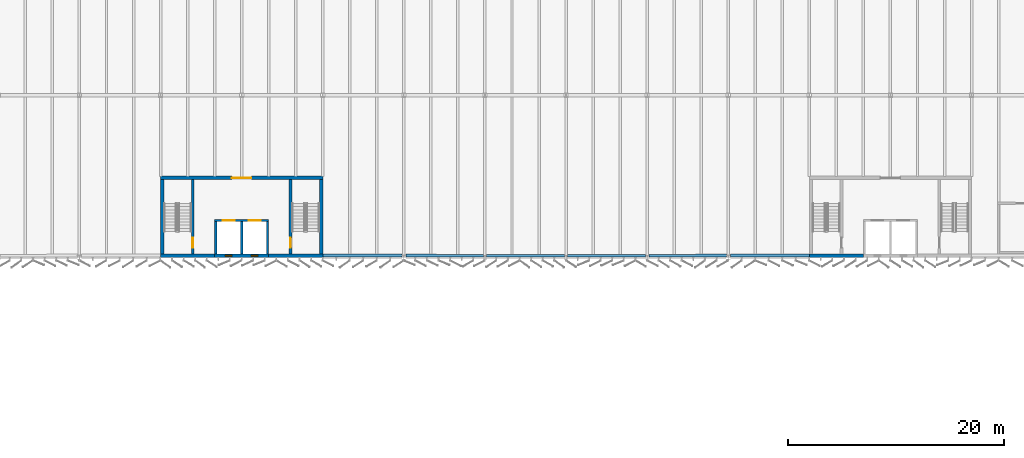
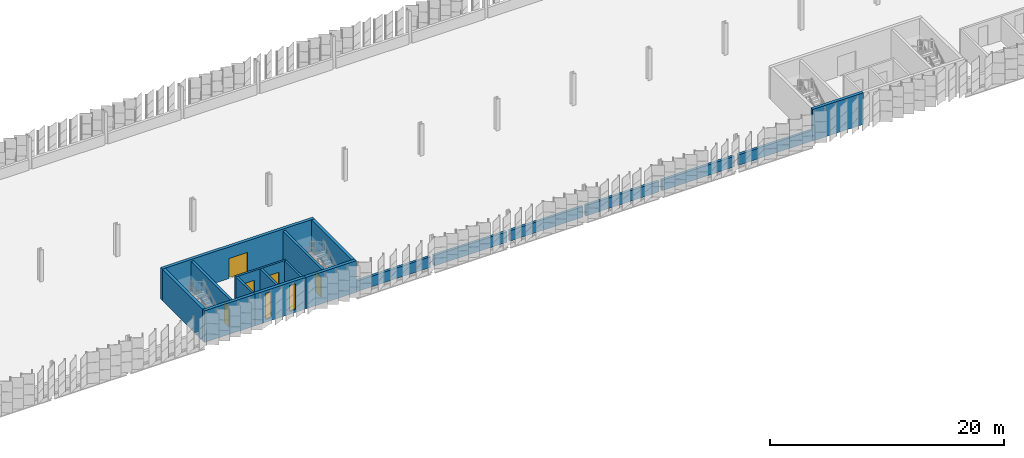
# One storey, part 57 of 199: 19 walls, 5 doors, 2 windows, 7 openings.
"""IFC4 building model written with IfcOpenShell, lengths in metres."""

from ifc_helpers import new_model, si_unit, direction, frame, frame_2d, origin, place, context, subcontext, project, spatial, rectangle, extrude, material, layer, layer_set, type_object, element, fill, save


model = new_model("IFC4")

# Units and contexts
model_context = context("Model", 3, precision=1e-05, world=origin(), true_north=direction((0.0, 1.0)))
body_context = subcontext(model_context, "Body", "Model", "MODEL_VIEW")
ifc_project = project(units=[si_unit("LENGTHUNIT", "METRE"), si_unit("AREAUNIT", "SQUARE_METRE"), si_unit("VOLUMEUNIT", "CUBIC_METRE"), si_unit("PLANEANGLEUNIT", "RADIAN"), si_unit("MASSUNIT", "GRAM", prefix="KILO")], contexts=[model_context])

# Site, building, storey
site_placement = place(None, origin())
site = spatial("IfcSite", under=ifc_project, at=site_placement, CompositionType="ELEMENT")
building_placement = place(site_placement, origin())
building = spatial("IfcBuilding", under=site, at=building_placement, Name="Parallax Yard Mobility Hub", CompositionType="ELEMENT")
storey_placement = place(building_placement, frame((0.0, 0.0, 9.89990234375)))
storey = spatial("IfcBuildingStorey", under=building, at=storey_placement, Name="L03", CompositionType="ELEMENT", Elevation=9.89990234375)

# Wall, opening, door
ifc_material_1 = material(Name="Concrete fc' 35 MPa", Category="concrete")
ifc_layer_1 = layer(ifc_material_1, 0.300048828125)
ifc_layer_set_1 = layer_set([ifc_layer_1], Name="Concrete fc' 35 MPa core wall 300")
wall_type_1 = type_object("IfcWallType", Name="Concrete fc' 35 MPa core wall 300", PredefinedType="SHEAR", material=ifc_layer_set_1)
wall_1_placement = place(storey_placement, frame((67.5, 119.85009765625, 0.0), z_axis=(0.0, 0.0, 1.0), x_axis=(1.0, 0.0, 0.0)))
wall_1 = element("IfcWall", 1, at=wall_1_placement, inside=storey, type_object=wall_type_1, Name="Core C-N1 entry wall level L03", PredefinedType="SHEAR", context=body_context, shape_type="SweptSolid", body=[
    extrude(rectangle(XDim=15.0, YDim=0.300048828125, at=frame_2d((7.5, 0.0))), origin(), (0.0, 0.0, 1.0), 3.300048828125),
])
opening_1_placement = place(wall_1_placement, frame((6.60009765625, 0.0, 0.0)))
opening_1 = element("IfcOpeningElement", 2, at=opening_1_placement, cuts=wall_1, Name="Opening L03-D709", PredefinedType="OPENING", context=body_context, shape_type="SweptSolid", body=[
    extrude(rectangle(XDim=1.800048828125, YDim=2.10009765625, at=frame_2d((0.89990234375, 1.050048828125))), frame((0.0, 0.16015625, 0.0), z_axis=(0.0, -1.0, 0.0), x_axis=(1.0, 0.0, 0.0)), (0.0, 0.0, 1.0), 0.320068359375),
])
ifc_material_2 = material(Name="Hollow metal steel door and frame", Category="steel")
door_type_1 = type_object("IfcDoorType", Name="Core double door 1800 x 2100 FD90", OperationType="NOTDEFINED", PredefinedType="DOOR", material=ifc_material_2)
door_1_placement = place(opening_1_placement, origin())
door_1 = element("IfcDoor", 3, at=door_1_placement, inside=storey, type_object=door_type_1, Name="Lift lobby door L03-D709, core C-N1 level L03", OperationType="DOUBLE_DOOR_SINGLE_SWING", OverallHeight=2.10009765625, OverallWidth=1.800048828125, PredefinedType="DOOR", context=body_context, shape_type="SweptSolid", body=[
    extrude(rectangle(XDim=1.800048828125, YDim=2.10009765625, at=frame_2d((0.89990234375, 1.050048828125))), frame((0.0, 0.02490234375, 0.0), z_axis=(0.0, -1.0, 0.0), x_axis=(1.0, 0.0, 0.0)), (0.0, 0.0, 1.0), 0.050048828125),
])
fill(opening_1, door_1)

# Wall
wall_2_placement = place(storey_placement, frame((82.5, 112.64990234375, 0.0), z_axis=(0.0, 0.0, 1.0), x_axis=(-1.0, 0.0, 0.0)))
element("IfcWall", 4, at=wall_2_placement, inside=storey, type_object=wall_type_1, Name="Core C-N1 back wall part 1 level L03", PredefinedType="SHEAR", context=body_context, shape_type="SweptSolid", body=[
    extrude(rectangle(XDim=5.0, YDim=0.300048828125, at=frame_2d((2.5, 0.0))), origin(), (0.0, 0.0, 1.0), 3.300048828125),
])

# Wall, openings, windows
wall_3_placement = place(storey_placement, frame((77.5, 112.64990234375, 0.0), z_axis=(0.0, 0.0, 1.0), x_axis=(-1.0, 0.0, 0.0)))
wall_3 = element("IfcWall", 5, at=wall_3_placement, inside=storey, type_object=wall_type_1, Name="Core C-N1 back wall part 2 level L03", PredefinedType="SHEAR", context=body_context, shape_type="SweptSolid", body=[
    extrude(rectangle(XDim=5.0, YDim=0.300048828125, at=frame_2d((2.5, 0.0))), origin(), (0.0, 0.0, 1.0), 3.300048828125),
])
opening_2_placement = place(wall_3_placement, frame((1.0, 0.0, 0.300048828125)))
opening_2 = element("IfcOpeningElement", 6, at=opening_2_placement, cuts=wall_3, Name="Opening CW-S1", PredefinedType="OPENING", context=body_context, shape_type="SweptSolid", body=[
    extrude(rectangle(XDim=0.60009765625, YDim=2.699951171875, at=frame_2d((0.300048828125, 1.35009765625))), frame((0.0, 0.16015625, 0.0), z_axis=(0.0, -1.0, 0.0), x_axis=(1.0, 0.0, 0.0)), (0.0, 0.0, 1.0), 0.320068359375),
])
opening_3_placement = place(wall_3_placement, frame((3.39990234375, 0.0, 0.300048828125)))
opening_3 = element("IfcOpeningElement", 7, at=opening_3_placement, cuts=wall_3, Name="Opening CW-S1", PredefinedType="OPENING", context=body_context, shape_type="SweptSolid", body=[
    extrude(rectangle(XDim=0.60009765625, YDim=2.699951171875, at=frame_2d((0.300048828125, 1.35009765625))), frame((0.0, 0.16015625, 0.0), z_axis=(0.0, -1.0, 0.0), x_axis=(1.0, 0.0, 0.0)), (0.0, 0.0, 1.0), 0.320068359375),
])
ifc_material_3 = material(Name="Fire-resisting glazing in a steel frame", Category="steel")
window_type = type_object("IfcWindowType", Name="Core slot window 600 x 2700", PartitioningType="SINGLE_PANEL", PredefinedType="WINDOW", material=ifc_material_3)
window_1_placement = place(opening_2_placement, origin())
window_1 = element("IfcWindow", 8, at=window_1_placement, inside=storey, type_object=window_type, Name="Glazed slot 1, core C-N1 level L03", OverallHeight=2.699951171875, OverallWidth=0.60009765625, PartitioningType="SINGLE_PANEL", PredefinedType="WINDOW", context=body_context, shape_type="SweptSolid", body=[
    extrude(rectangle(XDim=0.60009765625, YDim=2.699951171875, at=frame_2d((0.300048828125, 1.35009765625))), frame((0.0, 0.030029296875, 0.0), z_axis=(0.0, -1.0, 0.0), x_axis=(1.0, 0.0, 0.0)), (0.0, 0.0, 1.0), 0.06005859375),
])
fill(opening_2, window_1)
window_2_placement = place(opening_3_placement, origin())
window_2 = element("IfcWindow", 9, at=window_2_placement, inside=storey, type_object=window_type, Name="Glazed slot 2, core C-N1 level L03", OverallHeight=2.699951171875, OverallWidth=0.60009765625, PartitioningType="SINGLE_PANEL", PredefinedType="WINDOW", context=body_context, shape_type="SweptSolid", body=[
    extrude(rectangle(XDim=0.60009765625, YDim=2.699951171875, at=frame_2d((0.300048828125, 1.35009765625))), frame((0.0, 0.030029296875, 0.0), z_axis=(0.0, -1.0, 0.0), x_axis=(1.0, 0.0, 0.0)), (0.0, 0.0, 1.0), 0.06005859375),
])
fill(opening_3, window_2)

# Walls
wall_4_placement = place(storey_placement, frame((72.5, 112.64990234375, 0.0), z_axis=(0.0, 0.0, 1.0), x_axis=(-1.0, 0.0, 0.0)))
element("IfcWall", 10, at=wall_4_placement, inside=storey, type_object=wall_type_1, Name="Core C-N1 back wall part 3 level L03", PredefinedType="SHEAR", context=body_context, shape_type="SweptSolid", body=[
    extrude(rectangle(XDim=5.0, YDim=0.300048828125, at=frame_2d((2.5, 0.0))), origin(), (0.0, 0.0, 1.0), 3.300048828125),
])
for number, where, z_axis, x_axis, name in (
    (11, (82.35009765625, 119.699951171875, 0.0), (0.0, 0.0, 1.0), (0.0, -1.0, 0.0), "Core C-N1 west-side end wall level L03"),
    (12, (67.64990234375, 119.699951171875, 0.0), (0.0, 0.0, 1.0), (0.0, -1.0, 0.0), "Core C-N1 east-side end wall level L03"),
):
    element("IfcWall", number, at=place(storey_placement, frame(where, z_axis=z_axis, x_axis=x_axis)), inside=storey, type_object=wall_type_1, Name=name, PredefinedType="SHEAR", context=body_context, shape_type="SweptSolid", body=[
        extrude(rectangle(XDim=6.89990234375, YDim=0.300048828125, at=frame_2d((3.449951171875, 0.0))), origin(), (0.0, 0.0, 1.0), 3.300048828125),
    ])
wall_5_placement = place(storey_placement, frame((132.5, 112.64990234375, 0.0), z_axis=(0.0, 0.0, 1.0), x_axis=(-1.0, 0.0, 0.0)))
element("IfcWall", 13, at=wall_5_placement, inside=storey, type_object=wall_type_1, Name="Core C-N2 back wall part 3 level L03", PredefinedType="SHEAR", context=body_context, shape_type="SweptSolid", body=[
    extrude(rectangle(XDim=5.0, YDim=0.300048828125, at=frame_2d((2.5, 0.0))), origin(), (0.0, 0.0, 1.0), 3.300048828125),
])

# Wall, openings, doors
ifc_layer_2 = layer(ifc_material_1, 0.199951171875)
ifc_layer_set_2 = layer_set([ifc_layer_2], Name="Concrete fc' 35 MPa internal core wall 200")
wall_type_2 = type_object("IfcWallType", Name="Concrete fc' 35 MPa internal core wall 200", PredefinedType="STANDARD", material=ifc_layer_set_2)
wall_6_placement = place(storey_placement, frame((77.5, 115.89990234375, 0.0), z_axis=(0.0, 0.0, 1.0), x_axis=(-1.0, 0.0, 0.0)))
wall_6 = element("IfcWall", 14, at=wall_6_placement, inside=storey, type_object=wall_type_2, Name="Core C-N1 lift front 2 part 2 level L03", PredefinedType="STANDARD", context=body_context, shape_type="SweptSolid", body=[
    extrude(rectangle(XDim=5.0, YDim=0.199951171875, at=frame_2d((2.5, 0.0))), origin(), (0.0, 0.0, 1.0), 3.10009765625),
])
opening_4_placement = place(wall_6_placement, frame((0.75, 0.0, 0.0)))
opening_4 = element("IfcOpeningElement", 15, at=opening_4_placement, cuts=wall_6, Name="Opening L03-D712", PredefinedType="OPENING", context=body_context, shape_type="SweptSolid", body=[
    extrude(rectangle(XDim=1.10009765625, YDim=2.10009765625, at=frame_2d((0.550048828125, 1.050048828125))), frame((0.0, 0.10986328125, 0.0), z_axis=(0.0, -1.0, 0.0), x_axis=(1.0, 0.0, 0.0)), (0.0, 0.0, 1.0), 0.219970703125),
])
opening_5_placement = place(wall_6_placement, frame((3.14990234375, 0.0, 0.0)))
opening_5 = element("IfcOpeningElement", 16, at=opening_5_placement, cuts=wall_6, Name="Opening L03-D713", PredefinedType="OPENING", context=body_context, shape_type="SweptSolid", body=[
    extrude(rectangle(XDim=1.10009765625, YDim=2.10009765625, at=frame_2d((0.550048828125, 1.050048828125))), frame((0.0, 0.10986328125, 0.0), z_axis=(0.0, -1.0, 0.0), x_axis=(1.0, 0.0, 0.0)), (0.0, 0.0, 1.0), 0.219970703125),
])
ifc_material_4 = material(Name="Stainless steel sliding door and frame", Category="steel")
door_type_2 = type_object("IfcDoorType", Name="Lift landing door 1100 x 2100 FD90", OperationType="DOUBLE_DOOR_SLIDING", PredefinedType="DOOR", material=ifc_material_4)
door_2_placement = place(opening_4_placement, origin())
door_2 = element("IfcDoor", 17, at=door_2_placement, inside=storey, type_object=door_type_2, Name="Lift landing door L03-D712, core C-N1 level L03", OperationType="DOUBLE_DOOR_SLIDING", OverallHeight=2.10009765625, OverallWidth=1.10009765625, PredefinedType="DOOR", context=body_context, shape_type="SweptSolid", body=[
    extrude(rectangle(XDim=1.10009765625, YDim=2.10009765625, at=frame_2d((0.550048828125, 1.050048828125))), frame((0.0, 0.02490234375, 0.0), z_axis=(0.0, -1.0, 0.0), x_axis=(1.0, 0.0, 0.0)), (0.0, 0.0, 1.0), 0.050048828125),
])
fill(opening_4, door_2)
door_3_placement = place(opening_5_placement, origin())
door_3 = element("IfcDoor", 18, at=door_3_placement, inside=storey, type_object=door_type_2, Name="Lift landing door L03-D713, core C-N1 level L03", OperationType="DOUBLE_DOOR_SLIDING", OverallHeight=2.10009765625, OverallWidth=1.10009765625, PredefinedType="DOOR", context=body_context, shape_type="SweptSolid", body=[
    extrude(rectangle(XDim=1.10009765625, YDim=2.10009765625, at=frame_2d((0.550048828125, 1.050048828125))), frame((0.0, 0.02490234375, 0.0), z_axis=(0.0, -1.0, 0.0), x_axis=(1.0, 0.0, 0.0)), (0.0, 0.0, 1.0), 0.050048828125),
])
fill(opening_5, door_3)

# Walls
for number, where, z_axis, x_axis, name in (
    (19, (77.39990234375, 115.800048828125, 0.0), (0.0, 0.0, 1.0), (0.0, -1.0, 0.0), "Core C-N1 lift wall 1 part 1 level L03"),
    (20, (75.0, 115.800048828125, 0.0), (0.0, 0.0, 1.0), (0.0, -1.0, 0.0), "Core C-N1 lift wall 2 part 2 level L03"),
    (21, (72.60009765625, 115.800048828125, 0.0), (0.0, 0.0, 1.0), (0.0, -1.0, 0.0), "Core C-N1 lift wall 3 part 3 level L03"),
):
    element("IfcWall", number, at=place(storey_placement, frame(where, z_axis=z_axis, x_axis=x_axis)), inside=storey, type_object=wall_type_2, Name=name, PredefinedType="STANDARD", context=body_context, shape_type="SweptSolid", body=[
        extrude(rectangle(XDim=3.0, YDim=0.199951171875, at=frame_2d((1.5, 0.0))), origin(), (0.0, 0.0, 1.0), 3.10009765625),
    ])

# Wall, opening, door
ifc_layer_3 = layer(ifc_material_1, 0.25)
ifc_layer_set_3 = layer_set([ifc_layer_3], Name="Concrete fc' 35 MPa stair enclosure wall 250")
wall_type_3 = type_object("IfcWallType", Name="Concrete fc' 35 MPa stair enclosure wall 250", PredefinedType="STANDARD", material=ifc_layer_set_3)
wall_7_placement = place(storey_placement, frame((79.52490234375, 119.699951171875, 0.0), z_axis=(0.0, 0.0, 1.0), x_axis=(0.0, -1.0, 0.0)))
wall_7 = element("IfcWall", 22, at=wall_7_placement, inside=storey, type_object=wall_type_3, Name="Core C-N1 stair 1 partition level L03", PredefinedType="STANDARD", context=body_context, shape_type="SweptSolid", body=[
    extrude(rectangle(XDim=6.89990234375, YDim=0.25, at=frame_2d((3.449951171875, 0.0))), origin(), (0.0, 0.0, 1.0), 3.10009765625),
])
opening_6_placement = place(wall_7_placement, frame((5.39990234375, 0.0, 0.0)))
opening_6 = element("IfcOpeningElement", 23, at=opening_6_placement, cuts=wall_7, Name="Opening L03-D710", PredefinedType="OPENING", context=body_context, shape_type="SweptSolid", body=[
    extrude(rectangle(XDim=0.89990234375, YDim=2.10009765625, at=frame_2d((0.449951171875, 1.050048828125))), frame((0.0, 0.135009765625, 0.0), z_axis=(0.0, -1.0, 0.0), x_axis=(1.0, 0.0, 0.0)), (0.0, 0.0, 1.0), 0.27001953125),
])
door_type_3 = type_object("IfcDoorType", Name="Core door 900 x 2100 FD90", OperationType="NOTDEFINED", PredefinedType="DOOR", material=ifc_material_2)
door_4_placement = place(opening_6_placement, origin())
door_4 = element("IfcDoor", 24, at=door_4_placement, inside=storey, type_object=door_type_3, Name="Stair lobby door L03-D710, core C-N1 level L03", OperationType="SINGLE_SWING_LEFT", OverallHeight=2.10009765625, OverallWidth=0.89990234375, PredefinedType="DOOR", context=body_context, shape_type="SweptSolid", body=[
    extrude(rectangle(XDim=0.89990234375, YDim=2.10009765625, at=frame_2d((0.449951171875, 1.050048828125))), frame((0.0, 0.02490234375, 0.0), z_axis=(0.0, -1.0, 0.0), x_axis=(1.0, 0.0, 0.0)), (0.0, 0.0, 1.0), 0.050048828125),
])
fill(opening_6, door_4)

wall_8_placement = place(storey_placement, frame((70.47509765625, 112.800048828125, 0.0), z_axis=(0.0, 0.0, 1.0), x_axis=(0.0, 1.0, 0.0)))
wall_8 = element("IfcWall", 25, at=wall_8_placement, inside=storey, type_object=wall_type_3, Name="Core C-N1 stair 2 partition level L03", PredefinedType="STANDARD", context=body_context, shape_type="SweptSolid", body=[
    extrude(rectangle(XDim=6.89990234375, YDim=0.25, at=frame_2d((3.449951171875, 0.0))), origin(), (0.0, 0.0, 1.0), 3.10009765625),
])
opening_7_placement = place(wall_8_placement, frame((0.60009765625, 0.0, 0.0)))
opening_7 = element("IfcOpeningElement", 26, at=opening_7_placement, cuts=wall_8, Name="Opening L03-D711", PredefinedType="OPENING", context=body_context, shape_type="SweptSolid", body=[
    extrude(rectangle(XDim=0.89990234375, YDim=2.10009765625, at=frame_2d((0.449951171875, 1.050048828125))), frame((0.0, 0.135009765625, 0.0), z_axis=(0.0, -1.0, 0.0), x_axis=(1.0, 0.0, 0.0)), (0.0, 0.0, 1.0), 0.27001953125),
])
door_5_placement = place(opening_7_placement, origin())
door_5 = element("IfcDoor", 27, at=door_5_placement, inside=storey, type_object=door_type_3, Name="Stair lobby door L03-D711, core C-N1 level L03", OperationType="SINGLE_SWING_RIGHT", OverallHeight=2.10009765625, OverallWidth=0.89990234375, PredefinedType="DOOR", context=body_context, shape_type="SweptSolid", body=[
    extrude(rectangle(XDim=0.89990234375, YDim=2.10009765625, at=frame_2d((0.449951171875, 1.050048828125))), frame((0.0, 0.02490234375, 0.0), z_axis=(0.0, -1.0, 0.0), x_axis=(1.0, 0.0, 0.0)), (0.0, 0.0, 1.0), 0.050048828125),
])
fill(opening_7, door_5)

# Walls
ifc_layer_4 = layer(ifc_material_1, 0.25)
ifc_layer_set_4 = layer_set([ifc_layer_4], Name="Deck-edge barrier wall, Concrete fc' 35 MPa precast, 250")
wall_type_4 = type_object("IfcWallType", Name="Deck-edge barrier wall, Concrete fc' 35 MPa precast, 250", PredefinedType="SOLIDWALL", material=ifc_layer_set_4)
wall_9_placement = place(storey_placement, frame((82.5048828125, 112.672119140625, 0.0), z_axis=(0.0, 0.0, 1.0), x_axis=(1.0, 0.0, 0.0)))
element("IfcWall", 28, at=wall_9_placement, inside=storey, type_object=wall_type_4, Name="Deck-edge barrier wall bay 7 level L03", PredefinedType="SOLIDWALL", context=body_context, shape_type="SweptSolid", body=[
    extrude(rectangle(XDim=7.3095703125, YDim=0.25, at=frame_2d((3.65478515625, 0.0))), origin(), (0.0, 0.0, 1.0), 1.10009765625),
])
wall_10_placement = place(storey_placement, frame((90.185546875, 112.672119140625, 0.0), z_axis=(0.0, 0.0, 1.0), x_axis=(0.999993224794, -0.003681082119, 0.0)))
element("IfcWall", 29, at=wall_10_placement, inside=storey, type_object=wall_type_4, Name="Deck-edge barrier wall bay 8 level L03", PredefinedType="SOLIDWALL", context=body_context, shape_type="SweptSolid", body=[
    extrude(rectangle(XDim=7.162841796875, YDim=0.25, at=frame_2d((3.58154296875, 0.0))), origin(), (0.0, 0.0, 1.0), 1.10009765625),
])
for number, where, z_axis, x_axis, name in (
    (30, (97.651611328125, 112.645751953125, 0.0), (0.0, 0.0, 1.0), (1.0, 0.0, 0.0), "Deck-edge barrier wall bay 9 level L03"),
    (31, (105.151611328125, 112.645751953125, 0.0), (0.0, 0.0, 1.0), (1.0, 0.0, 0.0), "Deck-edge barrier wall bay 10 level L03"),
):
    element("IfcWall", number, at=place(storey_placement, frame(where, z_axis=z_axis, x_axis=x_axis)), inside=storey, type_object=wall_type_4, Name=name, PredefinedType="SOLIDWALL", context=body_context, shape_type="SweptSolid", body=[
        extrude(rectangle(XDim=7.19677734375, YDim=0.25, at=frame_2d((3.598388671875, 0.0))), origin(), (0.0, 0.0, 1.0), 1.10009765625),
    ])
wall_11_placement = place(storey_placement, frame((112.651611328125, 112.645751953125, 0.0), z_axis=(0.0, 0.0, 1.0), x_axis=(0.999993224794, 0.003681082119, 0.0)))
element("IfcWall", 32, at=wall_11_placement, inside=storey, type_object=wall_type_4, Name="Deck-edge barrier wall bay 11 level L03", PredefinedType="SOLIDWALL", context=body_context, shape_type="SweptSolid", body=[
    extrude(rectangle(XDim=7.162841796875, YDim=0.25, at=frame_2d((3.58154296875, 0.0))), origin(), (0.0, 0.0, 1.0), 1.10009765625),
])
wall_12_placement = place(storey_placement, frame((120.185546875, 112.672119140625, 0.0), z_axis=(0.0, 0.0, 1.0), x_axis=(1.0, 0.0, 0.0)))
element("IfcWall", 33, at=wall_12_placement, inside=storey, type_object=wall_type_4, Name="Deck-edge barrier wall bay 12 level L03", PredefinedType="SOLIDWALL", context=body_context, shape_type="SweptSolid", body=[
    extrude(rectangle(XDim=7.3095703125, YDim=0.25, at=frame_2d((3.65478515625, 0.0))), origin(), (0.0, 0.0, 1.0), 1.10009765625),
])

save(model, "model.ifc")
